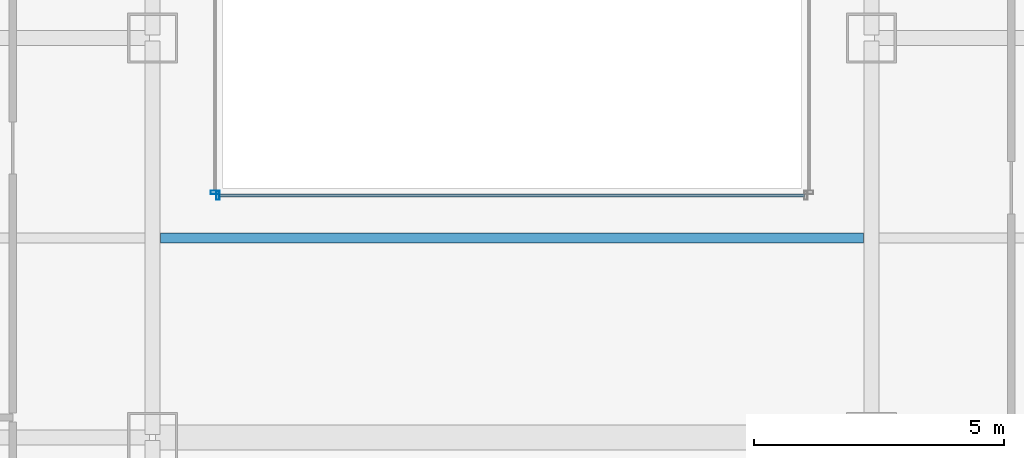
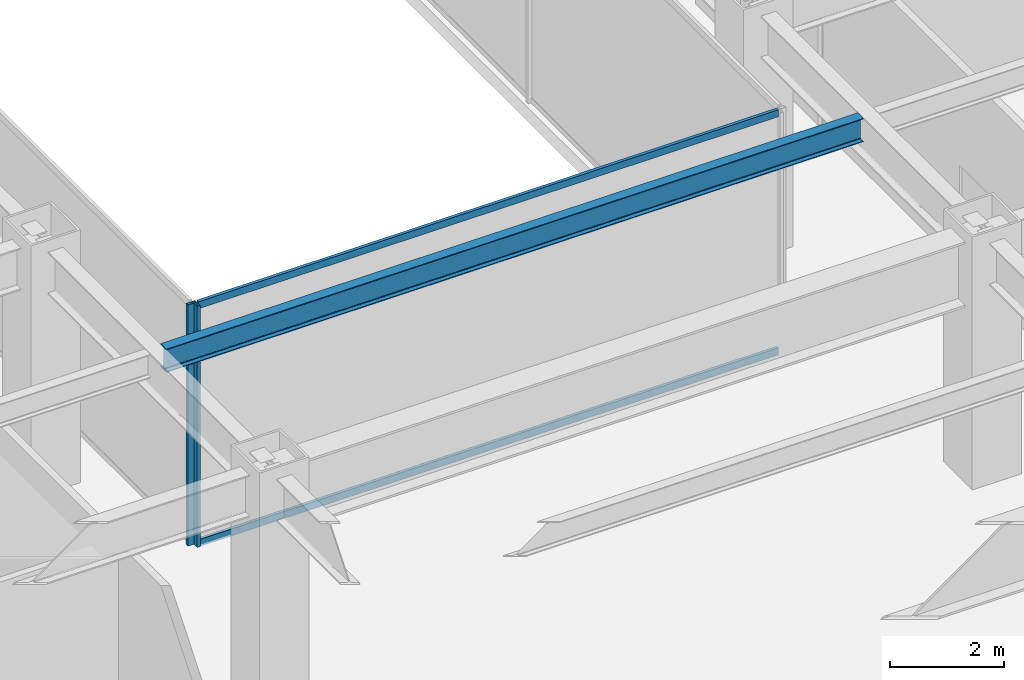
# One storey, part 12 of 53: 4 members, 1 beam, 2 elements without a shape of their own.
"""IFC4 building model written with IfcOpenShell, lengths in metres."""

import ifcopenshell
import ifcopenshell.guid

model = None  # the IFC model being written
_history = None  # IfcOwnerHistory: only IFC2X3 demands one
_inside = {}  # id of a spatial element -> (the spatial element, [elements in it])
_under = {}  # id of a project, library or spatial element -> (it, [spatial elements below it])
_declared = {}  # id of a project -> (the project, [libraries it declares])
_typed = {}  # id of a type object -> (the type object, [elements of that type])
_made_of = {}  # id of a material, layer set ... -> (it, [elements and type objects made of it])


def new_model(schema):
    """Start an empty IFC model of exactly this schema.

    Asked for "IFC4X3", IfcOpenShell would pick the latest addendum, in which some entities
    have other attributes; the version numbers below select the first issue.
    IFC2X3 requires an IfcOwnerHistory on every rooted entity: one is made here for all.
    """
    global model, _history
    if schema == "IFC4X3":
        model = ifcopenshell.file(schema_version=(4, 3, 0, 0))
    else:
        model = ifcopenshell.file(schema=schema)
    _inside.clear()
    _under.clear()
    _declared.clear()
    _typed.clear()
    _made_of.clear()
    _history = None
    if model.schema == "IFC2X3":
        org = make("IfcOrganization", Name="unknown")
        user = make(
            "IfcPersonAndOrganization",
            ThePerson=make("IfcPerson", FamilyName="unknown"),
            TheOrganization=org,
        )
        app = make(
            "IfcApplication",
            ApplicationDeveloper=org,
            Version="unknown",
            ApplicationFullName="unknown",
            ApplicationIdentifier="unknown",
        )
        _history = make(
            "IfcOwnerHistory",
            OwningUser=user,
            OwningApplication=app,
            ChangeAction="ADDED",
            CreationDate=0,
        )
    return model


def make(cls, **values):
    """One entity of the class cls with the attributes given. An attribute that is None is left unset."""
    return model.create_entity(
        cls, **{name: value for name, value in values.items() if value is not None}
    )


def rooted(cls, **values):
    """An entity with a GlobalId (a new one), such as an element, a storey or a relation."""
    return make(cls, GlobalId=ifcopenshell.guid.new(), OwnerHistory=_history, **values)


def si_unit(unit_type, name, prefix=None):
    """IfcSIUnit, for example si_unit("LENGTHUNIT", "METRE", prefix="MILLI")."""
    return make("IfcSIUnit", UnitType=unit_type, Prefix=prefix, Name=name)


def assignment(units):
    """IfcUnitAssignment: the units of a project."""
    return None if units is None else make("IfcUnitAssignment", Units=units)


def point(xyz):
    """IfcCartesianPoint."""
    return None if xyz is None else make("IfcCartesianPoint", Coordinates=xyz)


def direction(xyz):
    """IfcDirection."""
    return None if xyz is None else make("IfcDirection", DirectionRatios=xyz)


def frame(location, z_axis=None, x_axis=None):
    """IfcAxis2Placement3D, a coordinate frame: its origin and axes. An axis left out is left unset."""
    return make(
        "IfcAxis2Placement3D",
        Location=point(location),
        Axis=direction(z_axis),
        RefDirection=direction(x_axis),
    )


def frame_2d(location, x_axis=None):
    """IfcAxis2Placement2D, a coordinate frame in the plane: its origin and x axis."""
    return make(
        "IfcAxis2Placement2D", Location=point(location), RefDirection=direction(x_axis)
    )


def origin():
    """The frame at (0, 0, 0) with its axes left unset."""
    return frame((0.0, 0.0, 0.0))


def origin_2d():
    """The frame at (0, 0) in the plane with its x axis left unset."""
    return frame_2d((0.0, 0.0))


def place(relative_to, where):
    """IfcLocalPlacement: puts the frame where relative to a parent placement (None: the world)."""
    return make(
        "IfcLocalPlacement", PlacementRelTo=relative_to, RelativePlacement=where
    )


def context(
    kind, dimensions, precision=None, world=None, true_north=None, identifier=None
):
    """IfcGeometricRepresentationContext, for example the 3D "Model" context."""
    return make(
        "IfcGeometricRepresentationContext",
        ContextIdentifier=identifier,
        ContextType=kind,
        CoordinateSpaceDimension=dimensions,
        Precision=precision,
        WorldCoordinateSystem=world,
        TrueNorth=true_north,
    )


def subcontext(parent, identifier, kind, view, scale=None):
    """IfcGeometricRepresentationSubContext, for example "Body" below "Model"."""
    return make(
        "IfcGeometricRepresentationSubContext",
        ContextIdentifier=identifier,
        ContextType=kind,
        ParentContext=parent,
        TargetScale=scale,
        TargetView=view,
    )


def project(units=None, contexts=None):
    """IfcProject with its units and contexts."""
    return rooted(
        "IfcProject",
        Name="project",
        RepresentationContexts=contexts,
        UnitsInContext=assignment(units),
    )


def spatial(cls, under=None, at=None, **own):
    """A site, building, storey or space (cls), placed at a placement, below another one or the project."""
    s = rooted(cls, ObjectPlacement=at, **own)
    if under is not None:
        _under.setdefault(under.id(), (under, []))[1].append(s)
    return s


def profile(cls, at=None, kind="AREA", **sizes):
    """A parametric profile (cls). Its sizes go by their IFC names, for example OverallWidth=200.0."""
    return make(cls, ProfileType=kind, Position=at, **sizes)


def hollow_rectangle(**sizes):
    """IfcRectangleHollowProfileDef."""
    return profile("IfcRectangleHollowProfileDef", **sizes)


def i_section(**sizes):
    """IfcIShapeProfileDef."""
    return profile("IfcIShapeProfileDef", **sizes)


def extrude(swept, where, along, depth):
    """IfcExtrudedAreaSolid: the profile swept, set in the frame where, extruded along a direction by depth."""
    return make(
        "IfcExtrudedAreaSolid",
        SweptArea=swept,
        Position=where,
        ExtrudedDirection=direction(along),
        Depth=depth,
    )


def shape(context_of_items, identifier, shape_type, items):
    """IfcShapeRepresentation: the items that make up one representation, for example the "Body"."""
    return make(
        "IfcShapeRepresentation",
        ContextOfItems=context_of_items,
        RepresentationIdentifier=identifier,
        RepresentationType=shape_type,
        Items=items,
    )


def material(Name=None, Category=None):
    """IfcMaterial."""
    return make("IfcMaterial", Name=Name, Category=Category)


def material_profile(
    of_material, cross_section, Name=None, Category=None, Priority=None
):
    """IfcMaterialProfile: a cross section and its material."""
    return make(
        "IfcMaterialProfile",
        Name=Name,
        Material=of_material,
        Profile=cross_section,
        Priority=Priority,
        Category=Category,
    )


def profile_set(profiles, Name=None, composite=None):
    """IfcMaterialProfileSet."""
    return make(
        "IfcMaterialProfileSet",
        Name=Name,
        MaterialProfiles=profiles,
        CompositeProfile=composite,
    )


def made_of(thing, what):
    """Note that an element or type object is made of a material, layer set ...; save() writes the relation."""
    if what is not None:
        _made_of.setdefault(what.id(), (what, []))[1].append(thing)
    return thing


def type_object(cls, material=None, **own):
    """A type object (cls), such as IfcWallType, which elements share."""
    return made_of(rooted(cls, **own), material)


def element(
    cls,
    number,
    at=None,
    inside=None,
    cuts=None,
    type_object=None,
    material=None,
    context=None,
    identifier="Body",
    shape_type=None,
    held_by="IfcProductDefinitionShape",
    body=None,
    shapes=None,
    **own,
):
    """One element of the class cls, such as IfcWall. Its Tag is "e" and its number.

    at: its placement. inside: the storey or other place that contains it. cuts: it is an
    opening in that element (IfcRelVoidsElement). A single representation is given by context,
    identifier, shape_type and body (its items); several are given by shapes. held_by: the class
    of the entity that holds the representations. save() writes the other relations.
    """
    e = rooted(cls, Tag="e%d" % number, ObjectPlacement=at, **own)
    if body is not None:
        shapes = [shape(context, identifier, shape_type, body)]
    if shapes is not None:
        e.Representation = make(held_by, Representations=shapes)
    if inside is not None:
        _inside.setdefault(inside.id(), (inside, []))[1].append(e)
    if cuts is not None:
        rooted(
            "IfcRelVoidsElement", RelatingBuildingElement=cuts, RelatedOpeningElement=e
        )
    if type_object is not None:
        _typed.setdefault(type_object.id(), (type_object, []))[1].append(e)
    return made_of(e, material)


def aggregate(whole, parts):
    """IfcRelAggregates: a whole, such as a stair, and the parts it consists of."""
    return rooted("IfcRelAggregates", RelatingObject=whole, RelatedObjects=parts)


def save(model, path):
    """Write the relations noted so far, then the file.

    IfcRelAggregates (storeys below a building ...), IfcRelContainedInSpatialStructure (elements
    in a storey), IfcRelDefinesByType, IfcRelAssociatesMaterial and IfcRelDeclares: one each for
    every whole, place, type object, material and project.
    """
    for whole, parts in _under.values():
        aggregate(whole, parts)
    for where, things in _inside.values():
        rooted(
            "IfcRelContainedInSpatialStructure",
            RelatedElements=things,
            RelatingStructure=where,
        )
    for kind, things in _typed.values():
        rooted("IfcRelDefinesByType", RelatedObjects=things, RelatingType=kind)
    for what, things in _made_of.values():
        rooted("IfcRelAssociatesMaterial", RelatedObjects=things, RelatingMaterial=what)
    for by, libraries in _declared.values():
        rooted("IfcRelDeclares", RelatingContext=by, RelatedDefinitions=libraries)
    model.write(path)


model = new_model("IFC4")

# Units and contexts
model_context = context("Model", 3, precision=1e-05, world=origin(), true_north=direction((0.0, 1.0)))
body_context = subcontext(model_context, "Body", "Model", "MODEL_VIEW")
ifc_project = project(units=[si_unit("LENGTHUNIT", "METRE"), si_unit("AREAUNIT", "SQUARE_METRE"), si_unit("VOLUMEUNIT", "CUBIC_METRE"), si_unit("PLANEANGLEUNIT", "RADIAN"), si_unit("MASSUNIT", "GRAM", prefix="KILO")], contexts=[model_context])

# Site, building, storey
site_placement = place(None, origin())
site = spatial("IfcSite", under=ifc_project, at=site_placement, CompositionType="ELEMENT")
building_placement = place(site_placement, origin())
building = spatial("IfcBuilding", under=site, at=building_placement, Name="Saevonmaru Cultural Tower", CompositionType="ELEMENT")
storey_placement = place(building_placement, frame((0.0, 0.0, 22.199951171875)))
storey = spatial("IfcBuildingStorey", under=building, at=storey_placement, Name="L04", CompositionType="ELEMENT", Elevation=22.199951171875)

# Beam
ifc_material_1 = material(Name="Steel SM355", Category="steel")
ifc_material_profile_1 = material_profile(ifc_material_1, i_section(OverallWidth=0.199951171875, OverallDepth=0.5, WebThickness=0.010009765625, FlangeThickness=0.01611328125, FilletRadius=0.02001953125, at=origin_2d()), Name="H-500x200x10x16")
ifc_profile_set_1 = profile_set([ifc_material_profile_1], Name="Steel SM355")
beam_type = type_object("IfcBeamType", Name="BM-J-H500", PredefinedType="JOIST", material=ifc_profile_set_1)
beam_placement = place(storey_placement, frame((22.9580078125, 20.0, 4.900146484375), z_axis=(1.0, 0.0, 0.0), x_axis=(0.0, 1.0, 0.0)))
element("IfcBeam", 1, at=beam_placement, inside=storey, type_object=beam_type, Name="L04 Secondary Floor Joist JC-2", PredefinedType="JOIST", context=body_context, shape_type="SweptSolid", body=[
    extrude(i_section(OverallWidth=0.199951171875, OverallDepth=0.5, WebThickness=0.010009765625, FlangeThickness=0.01611328125, FilletRadius=0.02001953125, at=origin_2d()), origin(), (0.0, 0.0, 1.0), 14.083984375),
])

# Curtain wall, member
ifc_material_2 = material(Name="Satin Bronze Anodised Aluminium", Category="aluminium")
curtain_wall_type = type_object("IfcCurtainWallType", Name="CW-ATR-GLZ", PredefinedType="NOTDEFINED", material=ifc_material_2)
curtain_wall_1_placement = place(storey_placement, origin())
curtain_wall_1 = element("IfcCurtainWall", 2, at=curtain_wall_1_placement, inside=storey, type_object=curtain_wall_type, Name="L04 Vertical Atrium Glazed Smoke Screen 1", PredefinedType="NOTDEFINED")
ifc_material_profile_2 = material_profile(ifc_material_2, hollow_rectangle(XDim=0.06494140625, YDim=0.179931640625, WallThickness=0.00390625, at=origin_2d()), Name="ALU-MULL-180x65x4")
ifc_profile_set_2 = profile_set([ifc_material_profile_2], Name="Satin Bronze Anodised Aluminium")
member_type_1 = type_object("IfcMemberType", Name="ML-CW-INT-180x65", PredefinedType="MULLION", material=ifc_profile_set_2)
member_1_placement = place(storey_placement, frame((24.110107421875, 20.85009765625, 0.0), z_axis=(0.0, 0.0, 1.0), x_axis=(1.0, 0.0, 0.0)))
member_1 = element("IfcMember", 3, at=member_1_placement, type_object=member_type_1, Name="CW-ATR-L04-1 mullion 1", PredefinedType="MULLION", context=body_context, shape_type="SweptSolid", body=[
    extrude(hollow_rectangle(XDim=0.06494140625, YDim=0.179931640625, WallThickness=0.00390625, at=origin_2d()), origin(), (0.0, 0.0, 1.0), 5.150146484375),
])

curtain_wall_2_placement = place(storey_placement, origin())
curtain_wall_2 = element("IfcCurtainWall", 4, at=curtain_wall_2_placement, inside=storey, type_object=curtain_wall_type, Name="L04 Vertical Atrium Glazed Smoke Screen 4", PredefinedType="NOTDEFINED")
member_2_placement = place(storey_placement, frame((24.050048828125, 20.909912109375, 0.0), z_axis=(0.0, 0.0, 1.0), x_axis=(0.0, -1.0, 0.0)))
member_2 = element("IfcMember", 5, at=member_2_placement, type_object=member_type_1, Name="CW-ATR-L04-4 mullion 3", PredefinedType="MULLION", context=body_context, shape_type="SweptSolid", body=[
    extrude(hollow_rectangle(XDim=0.06494140625, YDim=0.179931640625, WallThickness=0.00390625, at=origin_2d()), origin(), (0.0, 0.0, 1.0), 5.150146484375),
])
aggregate(curtain_wall_2, [member_2])

# Member
ifc_material_profile_3 = material_profile(ifc_material_2, hollow_rectangle(XDim=0.06494140625, YDim=0.14990234375, WallThickness=0.00390625, at=origin_2d()), Name="ALU-TRAN-150x65x4")
ifc_profile_set_3 = profile_set([ifc_material_profile_3], Name="Satin Bronze Anodised Aluminium")
member_type_2 = type_object("IfcMemberType", Name="TR-CW-INT-150x65", PredefinedType="USERDEFINED", material=ifc_profile_set_3)
member_3_placement = place(storey_placement, frame((24.142578125, 20.85009765625, 0.032470703125), z_axis=(1.0, 0.0, 0.0), x_axis=(0.0, 1.0, 0.0)))
member_3 = element("IfcMember", 6, at=member_3_placement, type_object=member_type_2, Name="CW-ATR-L04-1 transom 1.1", ObjectType="TRANSOM", PredefinedType="USERDEFINED", context=body_context, shape_type="SweptSolid", body=[
    extrude(hollow_rectangle(XDim=0.06494140625, YDim=0.14990234375, WallThickness=0.00390625, at=origin_2d()), origin(), (0.0, 0.0, 1.0), 11.71484375),
])

member_4_placement = place(storey_placement, frame((24.142578125, 20.85009765625, 5.117431640625), z_axis=(1.0, 0.0, 0.0), x_axis=(0.0, 1.0, 0.0)))
member_4 = element("IfcMember", 7, at=member_4_placement, type_object=member_type_2, Name="CW-ATR-L04-1 transom 1.2", ObjectType="TRANSOM", PredefinedType="USERDEFINED", context=body_context, shape_type="SweptSolid", body=[
    extrude(hollow_rectangle(XDim=0.06494140625, YDim=0.14990234375, WallThickness=0.00390625, at=origin_2d()), origin(), (0.0, 0.0, 1.0), 11.71484375),
])

aggregate(curtain_wall_1, [member_1, member_3, member_4])

save(model, "model.ifc")
